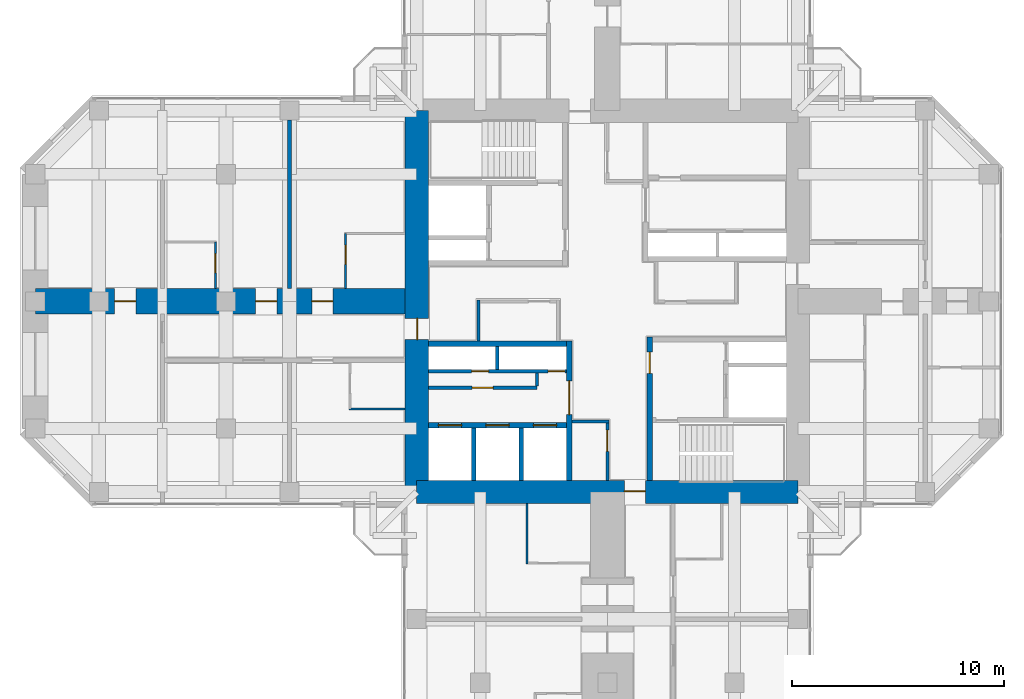
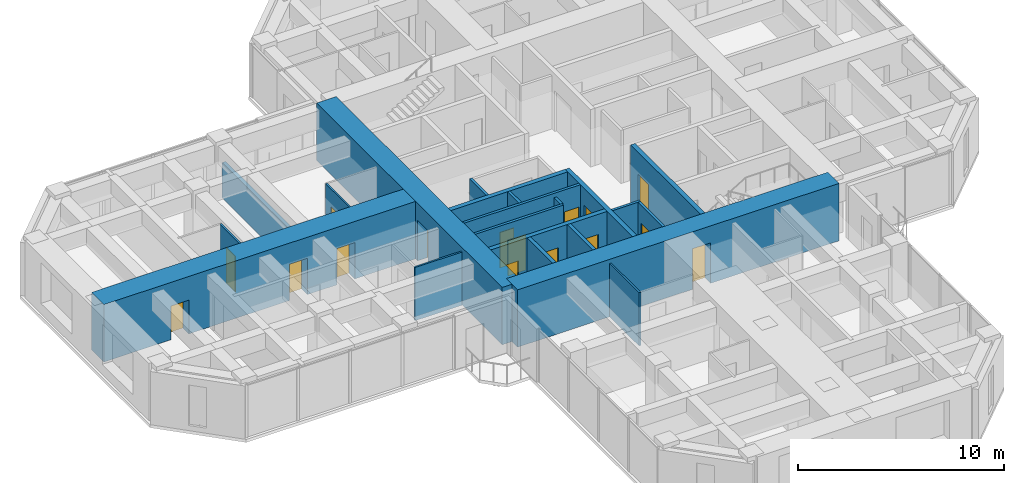
# One storey, part 9 of 14: 21 walls, 16 doors, 16 openings.
"""IFC4 building model written with IfcOpenShell, lengths in metres."""

from ifc_helpers import new_model, si_unit, direction, frame, frame_2d, origin, place, context, subcontext, project, spatial, rectangle, extrude, material, layer, layer_set, constituent, constituent_set, type_object, element, fill, save


model = new_model("IFC4")

# Units and contexts
model_context = context("Model", 3, precision=1e-05, world=origin(), true_north=direction((0.0, 1.0)))
body_context = subcontext(model_context, "Body", "Model", "MODEL_VIEW")
ifc_project = project(units=[si_unit("LENGTHUNIT", "METRE"), si_unit("AREAUNIT", "SQUARE_METRE"), si_unit("VOLUMEUNIT", "CUBIC_METRE"), si_unit("PLANEANGLEUNIT", "RADIAN"), si_unit("MASSUNIT", "GRAM", prefix="KILO")], contexts=[model_context])

# Site, building, storey
site_placement = place(None, origin())
site = spatial("IfcSite", under=ifc_project, at=site_placement, CompositionType="ELEMENT")
building_placement = place(site_placement, origin())
building = spatial("IfcBuilding", under=site, at=building_placement, Name="Torre Cruceta", CompositionType="ELEMENT")
storey_placement = place(building_placement, frame((0.0, 0.0, 213.699951171875)))
storey = spatial("IfcBuildingStorey", under=building, at=storey_placement, Name="L54", CompositionType="ELEMENT", Elevation=213.699951171875)

# Walls
ifc_material_1 = material(Name="Water-resistant plasterboard on steel studs", Category="steel")
ifc_layer_1 = layer(ifc_material_1, 0.10009765625)
ifc_layer_set_1 = layer_set([ifc_layer_1], Name="Water-resistant plasterboard on steel studs")
wall_type_1 = type_object("IfcWallType", Name="BATHROOM WALL 100", PredefinedType="PARTITIONING", material=ifc_layer_set_1)
wall_1_placement = place(storey_placement, frame((-3.800048828125, -9.550048828125, 0.0), z_axis=(0.0, 0.0, 1.0), x_axis=(0.0, -1.0, 0.0)))
element("IfcWall", 1, at=wall_1_placement, inside=storey, type_object=wall_type_1, Name="PT4 L54-S-U1RBB", PredefinedType="PARTITIONING", context=body_context, shape_type="SweptSolid", body=[
    extrude(rectangle(XDim=2.849853515625, YDim=0.10009765625, at=frame_2d((1.4248046875, 0.0))), origin(), (0.0, 0.0, 1.0), 3.150146484375),
])
wall_2_placement = place(storey_placement, frame((-9.550048828125, -5.074951171875, 0.0), z_axis=(0.0, 0.0, 1.0), x_axis=(-1.0, 0.0, 0.0)))
element("IfcWall", 2, at=wall_2_placement, inside=storey, type_object=wall_type_1, Name="PT4 L54-W-U1LBB", PredefinedType="PARTITIONING", context=body_context, shape_type="SweptSolid", body=[
    extrude(rectangle(XDim=2.64990234375, YDim=0.10009765625, at=frame_2d((1.324951171875, 0.0))), origin(), (0.0, 0.0, 1.0), 3.150146484375),
])

# Wall, opening, door
wall_3_placement = place(storey_placement, frame((-12.35009765625, 3.199951171875, 0.0), z_axis=(0.0, 0.0, 1.0), x_axis=(0.0, -1.0, 0.0)))
wall_3 = element("IfcWall", 3, at=wall_3_placement, inside=storey, type_object=wall_type_1, Name="PT4 L54-W-U1RBS", PredefinedType="PARTITIONING", context=body_context, shape_type="SweptSolid", body=[
    extrude(rectangle(XDim=2.599853515625, YDim=0.10009765625, at=frame_2d((1.2998046875, 0.0))), origin(), (0.0, 0.0, 1.0), 3.150146484375),
])
opening_1_placement = place(wall_3_placement, frame((0.550048828125, 0.0, 0.0)))
opening_1 = element("IfcOpeningElement", 4, at=opening_1_placement, cuts=wall_3, Name="Opening D7", PredefinedType="OPENING", context=body_context, shape_type="SweptSolid", body=[
    extrude(rectangle(XDim=0.89990234375, YDim=2.10009765625, at=frame_2d((0.449951171875, 1.050048828125))), frame((0.0, 0.06005859375, 0.0), z_axis=(0.0, -1.0, 0.0), x_axis=(1.0, 0.0, 0.0)), (0.0, 0.0, 1.0), 0.1201171875),
])
ifc_material_2 = material(Name="Timber door", Category="wood")
door_type_1 = type_object("IfcDoorType", Name="BATHROOM DOOR 900X2100", OperationType="SINGLE_SWING_LEFT", PredefinedType="DOOR", material=ifc_material_2)
door_1_placement = place(opening_1_placement, origin())
door_1 = element("IfcDoor", 5, at=door_1_placement, inside=storey, type_object=door_type_1, Name="D7 L54-W-U1RBS-D1", OperationType="SINGLE_SWING_LEFT", OverallHeight=2.10009765625, OverallWidth=0.89990234375, PredefinedType="DOOR", context=body_context, shape_type="SweptSolid", body=[
    extrude(rectangle(XDim=0.89990234375, YDim=2.10009765625, at=frame_2d((0.449951171875, 1.050048828125))), frame((0.0, 0.02490234375, 0.0), z_axis=(0.0, -1.0, 0.0), x_axis=(1.0, 0.0, 0.0)), (0.0, 0.0, 1.0), 0.050048828125),
])
fill(opening_1, door_1)

wall_4_placement = place(storey_placement, frame((-18.5, 2.800048828125, 0.0), z_axis=(0.0, 0.0, 1.0), x_axis=(0.0, -1.0, 0.0)))
wall_4 = element("IfcWall", 6, at=wall_4_placement, inside=storey, type_object=wall_type_1, Name="PT4 L54-W-U2RBS", PredefinedType="PARTITIONING", context=body_context, shape_type="SweptSolid", body=[
    extrude(rectangle(XDim=2.199951171875, YDim=0.10009765625, at=frame_2d((1.10009765625, 0.0))), origin(), (0.0, 0.0, 1.0), 3.150146484375),
])
opening_2_placement = place(wall_4_placement, frame((0.550048828125, 0.0, 0.0)))
opening_2 = element("IfcOpeningElement", 7, at=opening_2_placement, cuts=wall_4, Name="Opening D7", PredefinedType="OPENING", context=body_context, shape_type="SweptSolid", body=[
    extrude(rectangle(XDim=0.89990234375, YDim=2.10009765625, at=frame_2d((0.449951171875, 1.050048828125))), frame((0.0, 0.06005859375, 0.0), z_axis=(0.0, -1.0, 0.0), x_axis=(1.0, 0.0, 0.0)), (0.0, 0.0, 1.0), 0.1201171875),
])
door_2_placement = place(opening_2_placement, frame((0.89990234375, 0.0, 0.0), z_axis=(0.0, 0.0, 1.0), x_axis=(-1.0, 0.0, 0.0)))
door_2 = element("IfcDoor", 8, at=door_2_placement, inside=storey, type_object=door_type_1, Name="D7 L54-W-U2RBS-D1", OperationType="SINGLE_SWING_RIGHT", OverallHeight=2.10009765625, OverallWidth=0.89990234375, PredefinedType="DOOR", context=body_context, shape_type="SweptSolid", body=[
    extrude(rectangle(XDim=0.89990234375, YDim=2.10009765625, at=frame_2d((0.449951171875, 1.050048828125))), frame((0.0, 0.025146484375, 0.0), z_axis=(0.0, -1.0, 0.0), x_axis=(1.0, 0.0, 0.0)), (0.0, 0.0, 1.0), 0.050048828125),
])
fill(opening_2, door_2)

ifc_material_3 = material(Name="Concrete G60 (fck 60 MPa)", Category="concrete")
ifc_layer_2 = layer(ifc_material_3, 0.25)
ifc_layer_set_2 = layer_set([ifc_layer_2], Name="Concrete G60 (fck 60 MPa)")
wall_type_2 = type_object("IfcWallType", Name="CORE INNER WALL 250 G60", PredefinedType="SHEAR", material=ifc_layer_set_2)
wall_5_placement = place(storey_placement, frame((-1.800048828125, -1.875, 0.0), z_axis=(0.0, 0.0, 1.0), x_axis=(0.0, -1.0, 0.0)))
wall_5 = element("IfcWall", 9, at=wall_5_placement, inside=storey, type_object=wall_type_2, Name="CW4 L54 SW-CU", PredefinedType="SHEAR", context=body_context, shape_type="SweptSolid", body=[
    extrude(rectangle(XDim=6.574951171875, YDim=0.25, at=frame_2d((3.28759765625, 0.0))), origin(), (0.0, 0.0, 1.0), 3.400146484375),
])
opening_3_placement = place(wall_5_placement, frame((1.875, 0.0, 0.0)))
opening_3 = element("IfcOpeningElement", 10, at=opening_3_placement, cuts=wall_5, Name="Opening D8", PredefinedType="OPENING", context=body_context, shape_type="SweptSolid", body=[
    extrude(rectangle(XDim=1.60009765625, YDim=2.39990234375, at=frame_2d((0.800048828125, 1.199951171875))), frame((0.0, 0.135009765625, 0.0), z_axis=(0.0, -1.0, 0.0), x_axis=(1.0, 0.0, 0.0)), (0.0, 0.0, 1.0), 0.27001953125),
])
ifc_material_4 = material(Name="Steel DX51D", Category="steel")
ifc_constituent_1 = constituent(ifc_material_4, Name="Leaf and frame")
ifc_material_5 = material(Name="Polyester powder coating", Category="paint")
ifc_constituent_2 = constituent(ifc_material_5, Name="Finish")
ifc_material_6 = material(Name="Fire-resisting glass", Category="glass")
ifc_constituent_3 = constituent(ifc_material_6, Name="Vision panel")
ifc_constituent_set_1 = constituent_set(constituents=[ifc_constituent_1, ifc_constituent_2, ifc_constituent_3], Name="Steel fire door with vision panels")
door_type_2 = type_object("IfcDoorType", Name="LIFT LOBBY DOUBLE DOOR 1600X2400", OperationType="DOUBLE_DOOR_DOUBLE_SWING", PredefinedType="DOOR", material=ifc_constituent_set_1)
door_3_placement = place(opening_3_placement, origin())
door_3 = element("IfcDoor", 11, at=door_3_placement, inside=storey, type_object=door_type_2, Name="D8 L54 SW-LOBBY", OperationType="DOUBLE_DOOR_DOUBLE_SWING", OverallHeight=2.39990234375, OverallWidth=1.60009765625, PredefinedType="DOOR", context=body_context, shape_type="SweptSolid", body=[
    extrude(rectangle(XDim=1.60009765625, YDim=2.39990234375, at=frame_2d((0.800048828125, 1.199951171875))), frame((0.0, 0.02490234375, 0.0), z_axis=(0.0, -1.0, 0.0), x_axis=(1.0, 0.0, 0.0)), (0.0, 0.0, 1.0), 0.050048828125),
])
fill(opening_3, door_3)

# Wall
wall_6_placement = place(storey_placement, frame((-1.925048828125, -2.0, 0.0), z_axis=(0.0, 0.0, 1.0), x_axis=(-1.0, 0.0, 0.0)))
element("IfcWall", 12, at=wall_6_placement, inside=storey, type_object=wall_type_2, Name="CW4 L54 SW-CV", PredefinedType="SHEAR", context=body_context, shape_type="SweptSolid", body=[
    extrude(rectangle(XDim=6.52490234375, YDim=0.25, at=frame_2d((3.262451171875, 0.0))), origin(), (0.0, 0.0, 1.0), 3.400146484375),
])

# Wall, openings, doors
wall_7_placement = place(storey_placement, frame((-1.925048828125, -5.85009765625, 0.0), z_axis=(0.0, 0.0, 1.0), x_axis=(-1.0, 0.0, 0.0)))
wall_7 = element("IfcWall", 13, at=wall_7_placement, inside=storey, type_object=wall_type_2, Name="CW4 L54 SW-LV", PredefinedType="SHEAR", context=body_context, shape_type="SweptSolid", body=[
    extrude(rectangle(XDim=6.52490234375, YDim=0.25, at=frame_2d((3.262451171875, 0.0))), origin(), (0.0, 0.0, 1.0), 3.400146484375),
])
opening_4_placement = place(wall_7_placement, frame((0.470947265625, 0.0, 0.0)))
opening_4 = element("IfcOpeningElement", 14, at=opening_4_placement, cuts=wall_7, Name="Opening LD1", PredefinedType="OPENING", context=body_context, shape_type="SweptSolid", body=[
    extrude(rectangle(XDim=1.10009765625, YDim=2.199951171875, at=frame_2d((0.550048828125, 1.10009765625))), frame((0.0, 0.135009765625, 0.0), z_axis=(0.0, -1.0, 0.0), x_axis=(1.0, 0.0, 0.0)), (0.0, 0.0, 1.0), 0.27001953125),
])
opening_5_placement = place(wall_7_placement, frame((2.71240234375, 0.0, 0.0)))
opening_5 = element("IfcOpeningElement", 15, at=opening_5_placement, cuts=wall_7, Name="Opening LD1", PredefinedType="OPENING", context=body_context, shape_type="SweptSolid", body=[
    extrude(rectangle(XDim=1.10009765625, YDim=2.199951171875, at=frame_2d((0.550048828125, 1.10009765625))), frame((0.0, 0.135009765625, 0.0), z_axis=(0.0, -1.0, 0.0), x_axis=(1.0, 0.0, 0.0)), (0.0, 0.0, 1.0), 0.27001953125),
])
opening_6_placement = place(wall_7_placement, frame((4.9541015625, 0.0, 0.0)))
opening_6 = element("IfcOpeningElement", 16, at=opening_6_placement, cuts=wall_7, Name="Opening LD1", PredefinedType="OPENING", context=body_context, shape_type="SweptSolid", body=[
    extrude(rectangle(XDim=1.10009765625, YDim=2.199951171875, at=frame_2d((0.550048828125, 1.10009765625))), frame((0.0, 0.135009765625, 0.0), z_axis=(0.0, -1.0, 0.0), x_axis=(1.0, 0.0, 0.0)), (0.0, 0.0, 1.0), 0.27001953125),
])
ifc_material_7 = material(Name="Stainless steel 1.4401", Category="steel")
door_type_3 = type_object("IfcDoorType", Name="LIFT LANDING DOOR 1100X2200", OperationType="DOUBLE_DOOR_SLIDING", PredefinedType="DOOR", material=ifc_material_7)
door_4_placement = place(opening_4_placement, origin())
door_4 = element("IfcDoor", 17, at=door_4_placement, inside=storey, type_object=door_type_3, Name="Lift landing door R1", OperationType="DOUBLE_DOOR_SLIDING", OverallHeight=2.199951171875, OverallWidth=1.10009765625, PredefinedType="DOOR", context=body_context, shape_type="SweptSolid", body=[
    extrude(rectangle(XDim=1.10009765625, YDim=2.199951171875, at=frame_2d((0.550048828125, 1.10009765625))), frame((0.0, 0.02490234375, 0.0), z_axis=(0.0, -1.0, 0.0), x_axis=(1.0, 0.0, 0.0)), (0.0, 0.0, 1.0), 0.050048828125),
])
fill(opening_4, door_4)
door_5_placement = place(opening_5_placement, origin())
door_5 = element("IfcDoor", 18, at=door_5_placement, inside=storey, type_object=door_type_3, Name="Lift landing door R2", OperationType="DOUBLE_DOOR_SLIDING", OverallHeight=2.199951171875, OverallWidth=1.10009765625, PredefinedType="DOOR", context=body_context, shape_type="SweptSolid", body=[
    extrude(rectangle(XDim=1.10009765625, YDim=2.199951171875, at=frame_2d((0.550048828125, 1.10009765625))), frame((0.0, 0.02490234375, 0.0), z_axis=(0.0, -1.0, 0.0), x_axis=(1.0, 0.0, 0.0)), (0.0, 0.0, 1.0), 0.050048828125),
])
fill(opening_5, door_5)
door_6_placement = place(opening_6_placement, origin())
door_6 = element("IfcDoor", 19, at=door_6_placement, inside=storey, type_object=door_type_3, Name="Lift landing door R3", OperationType="DOUBLE_DOOR_SLIDING", OverallHeight=2.199951171875, OverallWidth=1.10009765625, PredefinedType="DOOR", context=body_context, shape_type="SweptSolid", body=[
    extrude(rectangle(XDim=1.10009765625, YDim=2.199951171875, at=frame_2d((0.550048828125, 1.10009765625))), frame((0.0, 0.02490234375, 0.0), z_axis=(0.0, -1.0, 0.0), x_axis=(1.0, 0.0, 0.0)), (0.0, 0.0, 1.0), 0.050048828125),
])
fill(opening_6, door_6)

# Wall, opening, door
wall_8_placement = place(storey_placement, frame((2.0, -1.675048828125, 0.0), z_axis=(0.0, 0.0, 1.0), x_axis=(0.0, -1.0, 0.0)))
wall_8 = element("IfcWall", 20, at=wall_8_placement, inside=storey, type_object=wall_type_2, Name="CW4 L54 SE-CU", PredefinedType="SHEAR", context=body_context, shape_type="SweptSolid", body=[
    extrude(rectangle(XDim=6.77490234375, YDim=0.25, at=frame_2d((3.387451171875, 0.0))), origin(), (0.0, 0.0, 1.0), 3.400146484375),
])
opening_7_placement = place(wall_8_placement, frame((0.72509765625, 0.0, 0.0)))
opening_7 = element("IfcOpeningElement", 21, at=opening_7_placement, cuts=wall_8, Name="Opening D3", PredefinedType="OPENING", context=body_context, shape_type="SweptSolid", body=[
    extrude(rectangle(XDim=1.0, YDim=2.10009765625, at=frame_2d((0.5, 1.050048828125))), frame((0.0, 0.135009765625, 0.0), z_axis=(0.0, -1.0, 0.0), x_axis=(1.0, 0.0, 0.0)), (0.0, 0.0, 1.0), 0.27001953125),
])
ifc_material_8 = material(Name="Steel DX51D", Category="steel")
ifc_constituent_4 = constituent(ifc_material_8, Name="Leaf and frame")
ifc_material_9 = material(Name="Polyester powder coating", Category="paint")
ifc_constituent_5 = constituent(ifc_material_9, Name="Finish")
ifc_constituent_set_2 = constituent_set(constituents=[ifc_constituent_4, ifc_constituent_5], Name="Steel fire door")
door_type_4 = type_object("IfcDoorType", Name="FIRE DOOR 1000X2100", OperationType="SINGLE_SWING_LEFT", PredefinedType="DOOR", material=ifc_constituent_set_2)
door_7_placement = place(opening_7_placement, origin())
door_7 = element("IfcDoor", 22, at=door_7_placement, inside=storey, type_object=door_type_4, Name="D3 L54 SE-LOBBY", OperationType="SINGLE_SWING_LEFT", OverallHeight=2.10009765625, OverallWidth=1.0, PredefinedType="DOOR", context=body_context, shape_type="SweptSolid", body=[
    extrude(rectangle(XDim=1.0, YDim=2.10009765625, at=frame_2d((0.5, 1.050048828125))), frame((0.0, 0.02490234375, 0.0), z_axis=(0.0, -1.0, 0.0), x_axis=(1.0, 0.0, 0.0)), (0.0, 0.0, 1.0), 0.050048828125),
])
fill(opening_7, door_7)

ifc_material_10 = material(Name="Concrete G60 (fck 60 MPa)", Category="concrete")
ifc_layer_3 = layer(ifc_material_10, 1.10009765625)
ifc_layer_set_3 = layer_set([ifc_layer_3], Name="Concrete G60 (fck 60 MPa)")
wall_type_3 = type_object("IfcWallType", Name="CORE WALL 1100 G60", PredefinedType="SHEAR", material=ifc_layer_set_3)
wall_9_placement = place(storey_placement, frame((-9.0, -9.0, 0.0), z_axis=(0.0, 0.0, 1.0), x_axis=(1.0, 0.0, 0.0)))
wall_9 = element("IfcWall", 23, at=wall_9_placement, inside=storey, type_object=wall_type_3, Name="CW2 L54 CW-S", PredefinedType="SHEAR", context=body_context, shape_type="SweptSolid", body=[
    extrude(rectangle(XDim=18.0, YDim=1.10009765625, at=frame_2d((9.0, 0.0))), origin(), (0.0, 0.0, 1.0), 3.400146484375),
])
opening_8_placement = place(wall_9_placement, frame((9.800048828125, 0.0, 0.0)))
opening_8 = element("IfcOpeningElement", 24, at=opening_8_placement, cuts=wall_9, Name="Opening D4", PredefinedType="OPENING", context=body_context, shape_type="SweptSolid", body=[
    extrude(rectangle(XDim=1.0, YDim=2.39990234375, at=frame_2d((0.5, 1.199951171875))), frame((0.0, 0.56005859375, 0.0), z_axis=(0.0, -1.0, 0.0), x_axis=(1.0, 0.0, 0.0)), (0.0, 0.0, 1.0), 1.1201171875),
])
ifc_material_11 = material(Name="Steel DX51D", Category="steel")
ifc_constituent_6 = constituent(ifc_material_11, Name="Leaf and frame")
ifc_material_12 = material(Name="Polyester powder coating", Category="paint")
ifc_constituent_7 = constituent(ifc_material_12, Name="Finish")
ifc_constituent_set_3 = constituent_set(constituents=[ifc_constituent_6, ifc_constituent_7], Name="Steel fire door")
door_type_5 = type_object("IfcDoorType", Name="CORE ARM DOOR 1000X2400", OperationType="SINGLE_SWING_RIGHT", PredefinedType="DOOR", material=ifc_constituent_set_3)
door_8_placement = place(opening_8_placement, origin())
door_8 = element("IfcDoor", 25, at=door_8_placement, inside=storey, type_object=door_type_5, Name="D4 L54 CW-S", OperationType="SINGLE_SWING_RIGHT", OverallHeight=2.39990234375, OverallWidth=1.0, PredefinedType="DOOR", context=body_context, shape_type="SweptSolid", body=[
    extrude(rectangle(XDim=1.0, YDim=2.39990234375, at=frame_2d((0.5, 1.199951171875))), frame((0.0, 0.05517578125, 0.0), z_axis=(0.0, -1.0, 0.0), x_axis=(1.0, 0.0, 0.0)), (0.0, 0.0, 1.0), 0.050048828125),
])
fill(opening_8, door_8)

wall_10_placement = place(storey_placement, frame((-9.0, 9.0, 0.0), z_axis=(0.0, 0.0, 1.0), x_axis=(0.0, -1.0, 0.0)))
wall_10 = element("IfcWall", 26, at=wall_10_placement, inside=storey, type_object=wall_type_3, Name="CW2 L54 CW-W", PredefinedType="SHEAR", context=body_context, shape_type="SweptSolid", body=[
    extrude(rectangle(XDim=18.0, YDim=1.10009765625, at=frame_2d((9.0, 0.0))), origin(), (0.0, 0.0, 1.0), 3.400146484375),
])
opening_9_placement = place(wall_10_placement, frame((9.800048828125, 0.0, 0.0)))
opening_9 = element("IfcOpeningElement", 27, at=opening_9_placement, cuts=wall_10, Name="Opening D4", PredefinedType="OPENING", context=body_context, shape_type="SweptSolid", body=[
    extrude(rectangle(XDim=1.0, YDim=2.39990234375, at=frame_2d((0.5, 1.199951171875))), frame((0.0, 0.56005859375, 0.0), z_axis=(0.0, -1.0, 0.0), x_axis=(1.0, 0.0, 0.0)), (0.0, 0.0, 1.0), 1.1201171875),
])
door_9_placement = place(opening_9_placement, origin())
door_9 = element("IfcDoor", 28, at=door_9_placement, inside=storey, type_object=door_type_5, Name="D4 L54 CW-W", OperationType="SINGLE_SWING_RIGHT", OverallHeight=2.39990234375, OverallWidth=1.0, PredefinedType="DOOR", context=body_context, shape_type="SweptSolid", body=[
    extrude(rectangle(XDim=1.0, YDim=2.39990234375, at=frame_2d((0.5, 1.199951171875))), frame((0.0, 0.05517578125, 0.0), z_axis=(0.0, -1.0, 0.0), x_axis=(1.0, 0.0, 0.0)), (0.0, 0.0, 1.0), 0.050048828125),
])
fill(opening_9, door_9)

# Walls
ifc_material_13 = material(Name="Concrete G35 (fck 35 MPa)", Category="concrete")
ifc_layer_4 = layer(ifc_material_13, 0.199951171875)
ifc_layer_set_4 = layer_set([ifc_layer_4], Name="Concrete G35 (fck 35 MPa)")
wall_type_4 = type_object("IfcWallType", Name="LIFT SHAFT WALL 200", PredefinedType="PARTITIONING", material=ifc_layer_set_4)
for number, where, z_axis, x_axis, name in (
    (29, (-4.066650390625, -5.97509765625, 0.0), (0.0, 0.0, 1.0), (0.0, -1.0, 0.0), "SW1 L54 SW-LS1"),
    (30, (-6.308349609375, -5.97509765625, 0.0), (0.0, 0.0, 1.0), (0.0, -1.0, 0.0), "SW1 L54 SW-LS2"),
):
    element("IfcWall", number, at=place(storey_placement, frame(where, z_axis=z_axis, x_axis=x_axis)), inside=storey, type_object=wall_type_4, Name=name, PredefinedType="PARTITIONING", context=body_context, shape_type="SweptSolid", body=[
        extrude(rectangle(XDim=2.474853515625, YDim=0.199951171875, at=frame_2d((1.2373046875, 0.0))), origin(), (0.0, 0.0, 1.0), 3.400146484375),
    ])
ifc_material_14 = material(Name="Plasterboard on steel studs", Category="steel")
ifc_layer_5 = layer(ifc_material_14, 0.14990234375)
ifc_layer_set_5 = layer_set([ifc_layer_5], Name="Plasterboard on steel studs")
wall_type_5 = type_object("IfcWallType", Name="PARTITION 150", PredefinedType="PARTITIONING", material=ifc_layer_set_5)
wall_11_placement = place(storey_placement, frame((-6.074951171875, 0.074951171875, 0.0), z_axis=(0.0, 0.0, 1.0), x_axis=(0.0, -1.0, 0.0)))
element("IfcWall", 31, at=wall_11_placement, inside=storey, type_object=wall_type_5, Name="PT1 L54-CORE-LEGW-S-W3", PredefinedType="PARTITIONING", context=body_context, shape_type="SweptSolid", body=[
    extrude(rectangle(XDim=1.949951171875, YDim=0.14990234375, at=frame_2d((0.97509765625, 0.0))), origin(), (0.0, 0.0, 1.0), 3.150146484375),
])

# Wall, opening, door
wall_12_placement = place(storey_placement, frame((0.0, -5.675048828125, 0.0), z_axis=(0.0, 0.0, 1.0), x_axis=(0.0, -1.0, 0.0)))
wall_12 = element("IfcWall", 32, at=wall_12_placement, inside=storey, type_object=wall_type_5, Name="PT1 L54-CORE-LEGS-W-W1", PredefinedType="PARTITIONING", context=body_context, shape_type="SweptSolid", body=[
    extrude(rectangle(XDim=2.77490234375, YDim=0.14990234375, at=frame_2d((1.387451171875, 0.0))), origin(), (0.0, 0.0, 1.0), 3.150146484375),
])
opening_10_placement = place(wall_12_placement, frame((0.39990234375, 0.0, 0.0)))
opening_10 = element("IfcOpeningElement", 33, at=opening_10_placement, cuts=wall_12, Name="Opening D3", PredefinedType="OPENING", context=body_context, shape_type="SweptSolid", body=[
    extrude(rectangle(XDim=1.0, YDim=2.10009765625, at=frame_2d((0.5, 1.050048828125))), frame((0.0, 0.0849609375, 0.0), z_axis=(0.0, -1.0, 0.0), x_axis=(1.0, 0.0, 0.0)), (0.0, 0.0, 1.0), 0.169921875),
])
door_10_placement = place(opening_10_placement, frame((1.0, 0.0, 0.0), z_axis=(0.0, 0.0, 1.0), x_axis=(-1.0, 0.0, 0.0)))
door_10 = element("IfcDoor", 34, at=door_10_placement, inside=storey, type_object=door_type_4, Name="D3 L54-CORE-LEGS-W-W1-D1", OperationType="SINGLE_SWING_RIGHT", OverallHeight=2.10009765625, OverallWidth=1.0, PredefinedType="DOOR", context=body_context, shape_type="SweptSolid", body=[
    extrude(rectangle(XDim=1.0, YDim=2.10009765625, at=frame_2d((0.5, 1.050048828125))), frame((0.0, 0.025146484375, 0.0), z_axis=(0.0, -1.0, 0.0), x_axis=(1.0, 0.0, 0.0)), (0.0, 0.0, 1.0), 0.050048828125),
])
fill(opening_10, door_10)

# Wall
wall_13_placement = place(storey_placement, frame((-1.675048828125, -5.675048828125, 0.0), z_axis=(0.0, 0.0, 1.0), x_axis=(1.0, 0.0, 0.0)))
element("IfcWall", 35, at=wall_13_placement, inside=storey, type_object=wall_type_5, Name="PT1 L54-CORE-LEGS-W-W2", PredefinedType="PARTITIONING", context=body_context, shape_type="SweptSolid", body=[
    extrude(rectangle(XDim=1.75, YDim=0.14990234375, at=frame_2d((0.875, 0.0))), origin(), (0.0, 0.0, 1.0), 3.150146484375),
])

# Wall, opening, door
wall_14_placement = place(storey_placement, frame((-3.324951171875, -4.074951171875, 0.0), z_axis=(0.0, 0.0, 1.0), x_axis=(-1.0, 0.0, 0.0)))
wall_14 = element("IfcWall", 36, at=wall_14_placement, inside=storey, type_object=wall_type_5, Name="PT1 L54-CORE-SW-CUPBOARD", PredefinedType="PARTITIONING", context=body_context, shape_type="SweptSolid", body=[
    extrude(rectangle(XDim=5.125, YDim=0.14990234375, at=frame_2d((2.5625, 0.0))), origin(), (0.0, 0.0, 1.0), 3.150146484375),
])
opening_11_placement = place(wall_14_placement, frame((2.0625, 0.0, 0.0)))
opening_11 = element("IfcOpeningElement", 37, at=opening_11_placement, cuts=wall_14, Name="Opening D19", PredefinedType="OPENING", context=body_context, shape_type="SweptSolid", body=[
    extrude(rectangle(XDim=1.0, YDim=2.10009765625, at=frame_2d((0.5, 1.050048828125))), frame((0.0, 0.0849609375, 0.0), z_axis=(0.0, -1.0, 0.0), x_axis=(1.0, 0.0, 0.0)), (0.0, 0.0, 1.0), 0.169921875),
])
ifc_material_15 = material(Name="Timber fire door", Category="wood")
door_type_6 = type_object("IfcDoorType", Name="CUPBOARD PAIR OF DOORS 1000X2100", OperationType="DOUBLE_DOOR_SINGLE_SWING", PredefinedType="DOOR", material=ifc_material_15)
door_11_placement = place(opening_11_placement, frame((1.0, 0.0, 0.0), z_axis=(0.0, 0.0, 1.0), x_axis=(-1.0, 0.0, 0.0)))
door_11 = element("IfcDoor", 38, at=door_11_placement, inside=storey, type_object=door_type_6, Name="D19 L54-CORE-SW-CUPBOARD-D1", OperationType="DOUBLE_DOOR_SINGLE_SWING", OverallHeight=2.10009765625, OverallWidth=1.0, PredefinedType="DOOR", context=body_context, shape_type="SweptSolid", body=[
    extrude(rectangle(XDim=1.0, YDim=2.10009765625, at=frame_2d((0.5, 1.050048828125))), frame((0.0, 0.025146484375, 0.0), z_axis=(0.0, -1.0, 0.0), x_axis=(1.0, 0.0, 0.0)), (0.0, 0.0, 1.0), 0.050048828125),
])
fill(opening_11, door_11)

# Wall
wall_15_placement = place(storey_placement, frame((-3.324951171875, -3.375, 0.0), z_axis=(0.0, 0.0, 1.0), x_axis=(0.0, -1.0, 0.0)))
element("IfcWall", 39, at=wall_15_placement, inside=storey, type_object=wall_type_5, Name="PT1 L54-CORE-SW-CUPBOARDE", PredefinedType="PARTITIONING", context=body_context, shape_type="SweptSolid", body=[
    extrude(rectangle(XDim=0.625, YDim=0.14990234375, at=frame_2d((0.3125, 0.0))), origin(), (0.0, 0.0, 1.0), 3.150146484375),
])

# Wall, openings, doors
ifc_material_16 = material(Name="Concrete block masonry", Category="masonry")
ifc_layer_6 = layer(ifc_material_16, 0.14990234375)
ifc_layer_set_6 = layer_set([ifc_layer_6], Name="Concrete block masonry")
wall_type_6 = type_object("IfcWallType", Name="RISER WALL 150", PredefinedType="PARTITIONING", material=ifc_layer_set_6)
wall_16_placement = place(storey_placement, frame((-1.925048828125, -3.300048828125, 0.0), z_axis=(0.0, 0.0, 1.0), x_axis=(-1.0, 0.0, 0.0)))
wall_16 = element("IfcWall", 40, at=wall_16_placement, inside=storey, type_object=wall_type_6, Name="SW7 L54 SW-RV", PredefinedType="PARTITIONING", context=body_context, shape_type="SweptSolid", body=[
    extrude(rectangle(XDim=6.52490234375, YDim=0.14990234375, at=frame_2d((3.262451171875, 0.0))), origin(), (0.0, 0.0, 1.0), 3.400146484375),
])
opening_12_placement = place(wall_16_placement, frame((0.074951171875, 0.0, 0.0)))
opening_12 = element("IfcOpeningElement", 41, at=opening_12_placement, cuts=wall_16, Name="Opening D5", PredefinedType="OPENING", context=body_context, shape_type="SweptSolid", body=[
    extrude(rectangle(XDim=0.800048828125, YDim=2.10009765625, at=frame_2d((0.39990234375, 1.050048828125))), frame((0.0, 0.0849609375, 0.0), z_axis=(0.0, -1.0, 0.0), x_axis=(1.0, 0.0, 0.0)), (0.0, 0.0, 1.0), 0.169921875),
])
opening_13_placement = place(wall_16_placement, frame((3.675048828125, 0.0, 0.0)))
opening_13 = element("IfcOpeningElement", 42, at=opening_13_placement, cuts=wall_16, Name="Opening D5", PredefinedType="OPENING", context=body_context, shape_type="SweptSolid", body=[
    extrude(rectangle(XDim=0.800048828125, YDim=2.10009765625, at=frame_2d((0.39990234375, 1.050048828125))), frame((0.0, 0.0849609375, 0.0), z_axis=(0.0, -1.0, 0.0), x_axis=(1.0, 0.0, 0.0)), (0.0, 0.0, 1.0), 0.169921875),
])
ifc_material_17 = material(Name="Steel DX51D", Category="steel")
ifc_constituent_8 = constituent(ifc_material_17, Name="Leaf and frame")
ifc_material_18 = material(Name="Polyester powder coating", Category="paint")
ifc_constituent_9 = constituent(ifc_material_18, Name="Finish")
ifc_constituent_set_4 = constituent_set(constituents=[ifc_constituent_8, ifc_constituent_9], Name="Steel fire door")
door_type_7 = type_object("IfcDoorType", Name="RISER ACCESS DOOR 800X2100", OperationType="SINGLE_SWING_LEFT", PredefinedType="DOOR", material=ifc_constituent_set_4)
door_12_placement = place(opening_12_placement, frame((0.800048828125, 0.0, 0.0), z_axis=(0.0, 0.0, 1.0), x_axis=(-1.0, 0.0, 0.0)))
door_12 = element("IfcDoor", 43, at=door_12_placement, inside=storey, type_object=door_type_7, Name="D5 L54 SW-RISER1", OperationType="SINGLE_SWING_RIGHT", OverallHeight=2.10009765625, OverallWidth=0.800048828125, PredefinedType="DOOR", context=body_context, shape_type="SweptSolid", body=[
    extrude(rectangle(XDim=0.800048828125, YDim=2.10009765625, at=frame_2d((0.400146484375, 1.050048828125))), frame((0.0, 0.025146484375, 0.0), z_axis=(0.0, -1.0, 0.0), x_axis=(1.0, 0.0, 0.0)), (0.0, 0.0, 1.0), 0.050048828125),
])
fill(opening_12, door_12)
door_13_placement = place(opening_13_placement, frame((0.800048828125, 0.0, 0.0), z_axis=(0.0, 0.0, 1.0), x_axis=(-1.0, 0.0, 0.0)))
door_13 = element("IfcDoor", 44, at=door_13_placement, inside=storey, type_object=door_type_7, Name="D5 L54 SW-RISER2", OperationType="SINGLE_SWING_RIGHT", OverallHeight=2.10009765625, OverallWidth=0.800048828125, PredefinedType="DOOR", context=body_context, shape_type="SweptSolid", body=[
    extrude(rectangle(XDim=0.800048828125, YDim=2.10009765625, at=frame_2d((0.400146484375, 1.050048828125))), frame((0.0, 0.025146484375, 0.0), z_axis=(0.0, -1.0, 0.0), x_axis=(1.0, 0.0, 0.0)), (0.0, 0.0, 1.0), 0.050048828125),
])
fill(opening_13, door_13)

# Wall
wall_17_placement = place(storey_placement, frame((-5.199951171875, -2.125, 0.0), z_axis=(0.0, 0.0, 1.0), x_axis=(0.0, -1.0, 0.0)))
element("IfcWall", 45, at=wall_17_placement, inside=storey, type_object=wall_type_6, Name="SW7 L54 SW-RU", PredefinedType="PARTITIONING", context=body_context, shape_type="SweptSolid", body=[
    extrude(rectangle(XDim=1.10009765625, YDim=0.14990234375, at=frame_2d((0.550048828125, 0.0))), origin(), (0.0, 0.0, 1.0), 3.400146484375),
])

# Wall, openings, doors
ifc_material_19 = material(Name="Concrete G60 (fck 60 MPa)", Category="concrete")
ifc_layer_7 = layer(ifc_material_19, 1.199951171875)
ifc_layer_set_7 = layer_set([ifc_layer_7], Name="Concrete G60 (fck 60 MPa)")
wall_type_7 = type_object("IfcWallType", Name="SPINE WALL 1200 G60", PredefinedType="SHEAR", material=ifc_layer_set_7)
wall_18_placement = place(storey_placement, frame((-9.0, 0.0, 0.0), z_axis=(0.0, 0.0, 1.0), x_axis=(-1.0, 0.0, 0.0)))
wall_18 = element("IfcWall", 46, at=wall_18_placement, inside=storey, type_object=wall_type_7, Name="SW3 spine wall L54 W", PredefinedType="SHEAR", context=body_context, shape_type="SweptSolid", body=[
    extrude(rectangle(XDim=18.0, YDim=1.199951171875, at=frame_2d((9.0, 0.0))), origin(), (0.0, 0.0, 1.0), 3.400146484375),
])
opening_14_placement = place(wall_18_placement, frame((3.949951171875, 0.0, 0.0)))
opening_14 = element("IfcOpeningElement", 47, at=opening_14_placement, cuts=wall_18, Name="Opening D6", PredefinedType="OPENING", context=body_context, shape_type="SweptSolid", body=[
    extrude(rectangle(XDim=1.0, YDim=2.14990234375, at=frame_2d((0.5, 1.074951171875))), frame((0.0, 0.60986328125, 0.0), z_axis=(0.0, -1.0, 0.0), x_axis=(1.0, 0.0, 0.0)), (0.0, 0.0, 1.0), 1.219970703125),
])
opening_15_placement = place(wall_18_placement, frame((6.60009765625, 0.0, 0.0)))
opening_15 = element("IfcOpeningElement", 48, at=opening_15_placement, cuts=wall_18, Name="Opening D6", PredefinedType="OPENING", context=body_context, shape_type="SweptSolid", body=[
    extrude(rectangle(XDim=1.0, YDim=2.14990234375, at=frame_2d((0.5, 1.074951171875))), frame((0.0, 0.60986328125, 0.0), z_axis=(0.0, -1.0, 0.0), x_axis=(1.0, 0.0, 0.0)), (0.0, 0.0, 1.0), 1.219970703125),
])
opening_16_placement = place(wall_18_placement, frame((13.25, 0.0, 0.0)))
opening_16 = element("IfcOpeningElement", 49, at=opening_16_placement, cuts=wall_18, Name="Opening D16", PredefinedType="OPENING", context=body_context, shape_type="SweptSolid", body=[
    extrude(rectangle(XDim=1.0, YDim=2.0, at=frame_2d((0.5, 1.0))), frame((0.0, 0.60986328125, 0.0), z_axis=(0.0, -1.0, 0.0), x_axis=(1.0, 0.0, 0.0)), (0.0, 0.0, 1.0), 1.219970703125),
])
ifc_material_20 = material(Name="Steel DX51D", Category="steel")
ifc_constituent_10 = constituent(ifc_material_20, Name="Leaf and frame")
ifc_material_21 = material(Name="Polyester powder coating", Category="paint")
ifc_constituent_11 = constituent(ifc_material_21, Name="Finish")
ifc_material_22 = material(Name="Fire-resisting glass", Category="glass")
ifc_constituent_12 = constituent(ifc_material_22, Name="Vision panel")
ifc_constituent_set_5 = constituent_set(constituents=[ifc_constituent_10, ifc_constituent_11, ifc_constituent_12], Name="Steel fire door with vision panel")
door_type_8 = type_object("IfcDoorType", Name="FIRE DOOR VISION PANEL 1000X2000", OperationType="SINGLE_SWING_RIGHT", PredefinedType="DOOR", material=ifc_constituent_set_5)
door_14_placement = place(opening_16_placement, origin())
door_14 = element("IfcDoor", 50, at=door_14_placement, inside=storey, type_object=door_type_8, Name="D16 L54-W-SP3", OperationType="SINGLE_SWING_LEFT", OverallHeight=2.0, OverallWidth=1.0, PredefinedType="DOOR", context=body_context, shape_type="SweptSolid", body=[
    extrude(rectangle(XDim=1.0, YDim=2.0, at=frame_2d((0.5, 1.0))), frame((0.0, 0.02490234375, 0.0), z_axis=(0.0, -1.0, 0.0), x_axis=(1.0, 0.0, 0.0)), (0.0, 0.0, 1.0), 0.050048828125),
])
fill(opening_16, door_14)
ifc_material_23 = material(Name="Timber fire door", Category="wood")
door_type_9 = type_object("IfcDoorType", Name="UNIT ENTRANCE DOOR 1000X2150", OperationType="SINGLE_SWING_LEFT", PredefinedType="DOOR", material=ifc_material_23)
door_15_placement = place(opening_14_placement, frame((1.0, 0.0, 0.0), z_axis=(0.0, 0.0, 1.0), x_axis=(-1.0, 0.0, 0.0)))
door_15 = element("IfcDoor", 51, at=door_15_placement, inside=storey, type_object=door_type_9, Name="D6 L54-W-SP1", OperationType="SINGLE_SWING_RIGHT", OverallHeight=2.14990234375, OverallWidth=1.0, PredefinedType="DOOR", context=body_context, shape_type="SweptSolid", body=[
    extrude(rectangle(XDim=1.0, YDim=2.14990234375, at=frame_2d((0.5, 1.074951171875))), frame((0.0, 0.025146484375, 0.0), z_axis=(0.0, -1.0, 0.0), x_axis=(1.0, 0.0, 0.0)), (0.0, 0.0, 1.0), 0.050048828125),
])
fill(opening_14, door_15)
door_16_placement = place(opening_15_placement, frame((1.0, 0.0, 0.0), z_axis=(0.0, 0.0, 1.0), x_axis=(-1.0, 0.0, 0.0)))
door_16 = element("IfcDoor", 52, at=door_16_placement, inside=storey, type_object=door_type_9, Name="D6 L54-W-SP2", OperationType="SINGLE_SWING_RIGHT", OverallHeight=2.14990234375, OverallWidth=1.0, PredefinedType="DOOR", context=body_context, shape_type="SweptSolid", body=[
    extrude(rectangle(XDim=1.0, YDim=2.14990234375, at=frame_2d((0.5, 1.074951171875))), frame((0.0, 0.025146484375, 0.0), z_axis=(0.0, -1.0, 0.0), x_axis=(1.0, 0.0, 0.0)), (0.0, 0.0, 1.0), 0.050048828125),
])
fill(opening_15, door_16)

# Wall
ifc_material_24 = material(Name="Concrete G25 (fck 25 MPa)", Category="concrete")
ifc_layer_8 = layer(ifc_material_24, 0.199951171875)
ifc_layer_set_8 = layer_set([ifc_layer_8], Name="Concrete G25 (fck 25 MPa)")
wall_type_8 = type_object("IfcWallType", Name="UNIT SEPARATING WALL 200", PredefinedType="SOLIDWALL", material=ifc_layer_set_8)
wall_19_placement = place(storey_placement, frame((-15.0, 8.550048828125, 0.0), z_axis=(0.0, 0.0, 1.0), x_axis=(0.0, -1.0, 0.0)))
element("IfcWall", 53, at=wall_19_placement, inside=storey, type_object=wall_type_8, Name="PT2 L54-W-P1R", PredefinedType="SOLIDWALL", context=body_context, shape_type="SweptSolid", body=[
    extrude(rectangle(XDim=7.949951171875, YDim=0.199951171875, at=frame_2d((3.97509765625, 0.0))), origin(), (0.0, 0.0, 1.0), 2.10009765625),
])

save(model, "model.ifc")
